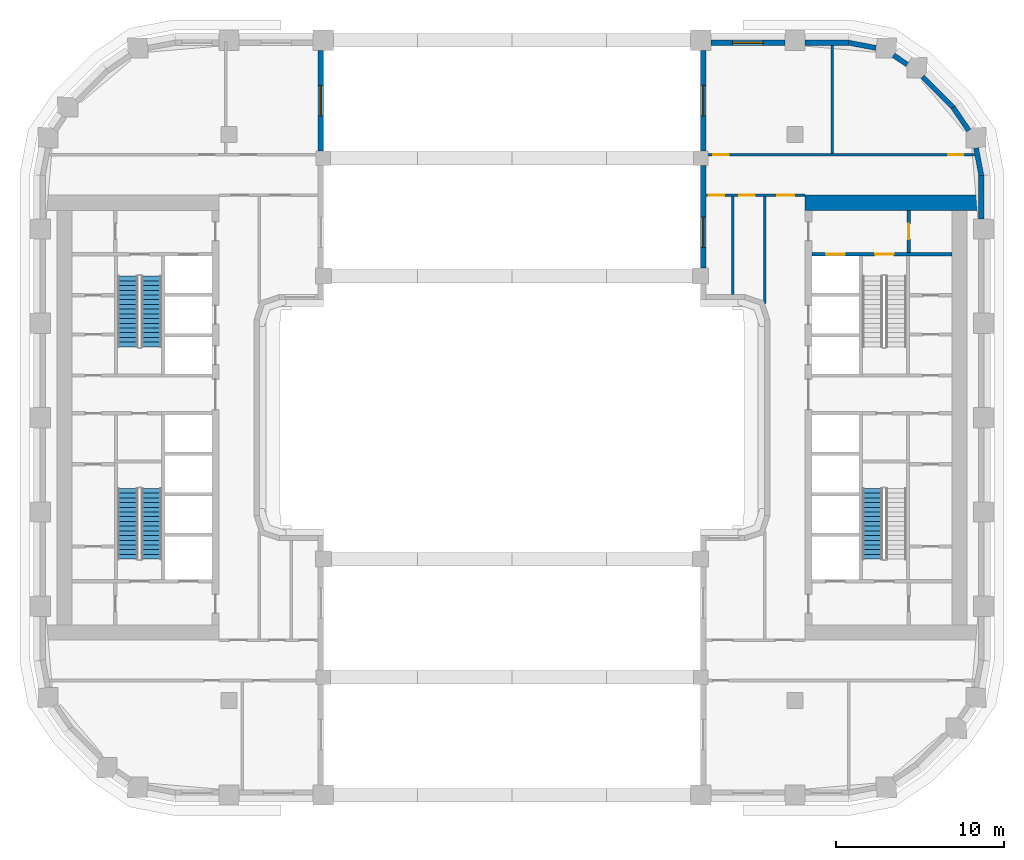
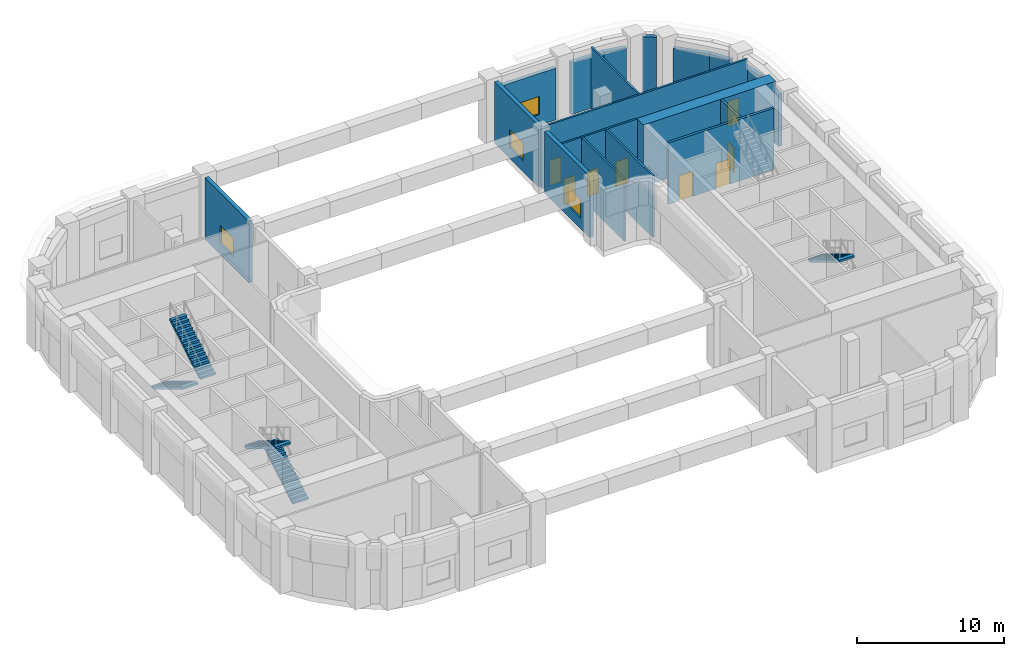
# One storey, part 6 of 14: 19 walls, 8 doors, 5 stair flights, 4 windows, 12 openings, 3 elements without a shape of their own.
"""IFC4 building model written with IfcOpenShell, lengths in metres."""

from ifc_helpers import new_model, si_unit, direction, frame, frame_2d, origin, place, context, subcontext, project, spatial, polyline, rectangle, outline, extrude, material, layer, layer_set, type_object, element, fill, aggregate, save


model = new_model("IFC4")

# Units and contexts
model_context = context("Model", 3, precision=1e-05, world=origin(), true_north=direction((0.0, 1.0)))
body_context = subcontext(model_context, "Body", "Model", "MODEL_VIEW")
ifc_project = project(units=[si_unit("LENGTHUNIT", "METRE"), si_unit("AREAUNIT", "SQUARE_METRE"), si_unit("VOLUMEUNIT", "CUBIC_METRE"), si_unit("PLANEANGLEUNIT", "RADIAN"), si_unit("MASSUNIT", "GRAM", prefix="KILO")], contexts=[model_context])

# Site, building, storey
site_placement = place(None, origin())
site = spatial("IfcSite", under=ifc_project, at=site_placement, CompositionType="ELEMENT")
building_placement = place(site_placement, origin())
building = spatial("IfcBuilding", under=site, at=building_placement, Name="Kiln Ring Residences", CompositionType="ELEMENT")
storey_placement = place(building_placement, frame((0.0, 0.0, 130.699951171875)))
storey = spatial("IfcBuildingStorey", under=building, at=storey_placement, Name="L33", CompositionType="ELEMENT", Elevation=130.699951171875)

# Wall, opening, door
ifc_material_1 = material(Name="Gypsum board on steel studs", Category="steel")
ifc_layer_1 = layer(ifc_material_1, 0.199951171875)
ifc_layer_set_1 = layer_set([ifc_layer_1], Name="CORE-PARTITION-200")
wall_type_1 = type_object("IfcWallType", Name="CORE-PARTITION-200", PredefinedType="PARTITIONING", material=ifc_layer_set_1)
wall_1_placement = place(storey_placement, frame((23.550048828125, 9.800048828125, 0.0), z_axis=(0.0, 0.0, 1.0), x_axis=(0.0, 1.0, 0.0)))
wall_1 = element("IfcWall", 1, at=wall_1_placement, inside=storey, type_object=wall_type_1, Name="Core partition east L33 3", PredefinedType="PARTITIONING", context=body_context, shape_type="SweptSolid", body=[
    extrude(rectangle(XDim=2.5, YDim=0.199951171875, at=frame_2d((1.25, 0.0))), origin(), (0.0, 0.0, 1.0), 5.10009765625),
])
opening_1_placement = place(wall_1_placement, frame((0.800048828125, 0.0, 0.0)))
opening_1 = element("IfcOpeningElement", 2, at=opening_1_placement, cuts=wall_1, Name="Opening L33-CE07", PredefinedType="OPENING", context=body_context, shape_type="SweptSolid", body=[
    extrude(rectangle(XDim=0.89990234375, YDim=2.10009765625, at=frame_2d((0.449951171875, 1.050048828125))), frame((0.0, 0.10986328125, 0.0), z_axis=(0.0, -1.0, 0.0), x_axis=(1.0, 0.0, 0.0)), (0.0, 0.0, 1.0), 0.219970703125),
])
ifc_material_2 = material(Name="Steel door leaf", Category="steel")
door_type_1 = type_object("IfcDoorType", Name="CORE-DOOR-ROOM", OperationType="SINGLE_SWING_LEFT", PredefinedType="DOOR", material=ifc_material_2)
door_1_placement = place(opening_1_placement, origin())
door_1 = element("IfcDoor", 3, at=door_1_placement, inside=storey, type_object=door_type_1, Name="Fire riser room L33-CE07", OperationType="SINGLE_SWING_RIGHT", OverallHeight=2.10009765625, OverallWidth=0.89990234375, PredefinedType="DOOR", context=body_context, shape_type="SweptSolid", body=[
    extrude(rectangle(XDim=0.89990234375, YDim=2.10009765625, at=frame_2d((0.449951171875, 1.050048828125))), frame((0.0, 0.02490234375, 0.0), z_axis=(0.0, -1.0, 0.0), x_axis=(1.0, 0.0, 0.0)), (0.0, 0.0, 1.0), 0.050048828125),
])
fill(opening_1, door_1)

# Wall, openings, doors
ifc_material_3 = material(Name="Concrete C40/50", Category="concrete")
ifc_layer_2 = layer(ifc_material_3, 0.199951171875)
ifc_layer_set_2 = layer_set([ifc_layer_2], Name="CORE-WALL-RC200")
wall_type_2 = type_object("IfcWallType", Name="CORE-WALL-RC200", PredefinedType="SHEAR", material=ifc_layer_set_2)
wall_2_placement = place(storey_placement, frame((17.800048828125, 9.699951171875, 0.0), z_axis=(0.0, 0.0, 1.0), x_axis=(1.0, 0.0, 0.0)))
wall_2 = element("IfcWall", 4, at=wall_2_placement, inside=storey, type_object=wall_type_2, Name="Core wall east L33 9", PredefinedType="SHEAR", context=body_context, shape_type="SweptSolid", body=[
    extrude(rectangle(XDim=8.300048828125, YDim=0.199951171875, at=frame_2d((4.14990234375, 0.0))), origin(), (0.0, 0.0, 1.0), 5.10009765625),
])
opening_2_placement = place(wall_2_placement, frame((0.85009765625, 0.0, 0.0)))
opening_2 = element("IfcOpeningElement", 5, at=opening_2_placement, cuts=wall_2, Name="Opening L33-CE04", PredefinedType="OPENING", context=body_context, shape_type="SweptSolid", body=[
    extrude(rectangle(XDim=1.10009765625, YDim=2.10009765625, at=frame_2d((0.550048828125, 1.050048828125))), frame((0.0, 0.10986328125, 0.0), z_axis=(0.0, -1.0, 0.0), x_axis=(1.0, 0.0, 0.0)), (0.0, 0.0, 1.0), 0.219970703125),
])
opening_3_placement = place(wall_2_placement, frame((3.75, 0.0, 0.0)))
opening_3 = element("IfcOpeningElement", 6, at=opening_3_placement, cuts=wall_2, Name="Opening L33-CE09", PredefinedType="OPENING", context=body_context, shape_type="SweptSolid", body=[
    extrude(rectangle(XDim=1.10009765625, YDim=2.10009765625, at=frame_2d((0.550048828125, 1.050048828125))), frame((0.0, 0.10986328125, 0.0), z_axis=(0.0, -1.0, 0.0), x_axis=(1.0, 0.0, 0.0)), (0.0, 0.0, 1.0), 0.219970703125),
])
ifc_material_4 = material(Name="Steel door leaf", Category="steel")
door_type_2 = type_object("IfcDoorType", Name="CORE-DOOR-LD", OperationType="DOUBLE_DOOR_SLIDING", PredefinedType="DOOR", material=ifc_material_4)
door_2_placement = place(opening_2_placement, origin())
door_2 = element("IfcDoor", 7, at=door_2_placement, inside=storey, type_object=door_type_2, Name="LD E-FF L33-CE04", OperationType="DOUBLE_DOOR_SLIDING", OverallHeight=2.10009765625, OverallWidth=1.10009765625, PredefinedType="DOOR", context=body_context, shape_type="SweptSolid", body=[
    extrude(rectangle(XDim=1.10009765625, YDim=2.10009765625, at=frame_2d((0.550048828125, 1.050048828125))), frame((0.0, 0.02490234375, 0.0), z_axis=(0.0, -1.0, 0.0), x_axis=(1.0, 0.0, 0.0)), (0.0, 0.0, 1.0), 0.050048828125),
])
fill(opening_2, door_2)
ifc_material_5 = material(Name="Steel door leaf", Category="steel")
door_type_3 = type_object("IfcDoorType", Name="CORE-DOOR-STAIR", OperationType="SINGLE_SWING_LEFT", PredefinedType="DOOR", material=ifc_material_5)
door_3_placement = place(opening_3_placement, origin())
door_3 = element("IfcDoor", 8, at=door_3_placement, inside=storey, type_object=door_type_3, Name="Stair E-STN L33-CE09", OperationType="SINGLE_SWING_RIGHT", OverallHeight=2.10009765625, OverallWidth=1.10009765625, PredefinedType="DOOR", context=body_context, shape_type="SweptSolid", body=[
    extrude(rectangle(XDim=1.10009765625, YDim=2.10009765625, at=frame_2d((0.550048828125, 1.050048828125))), frame((0.0, 0.02490234375, 0.0), z_axis=(0.0, -1.0, 0.0), x_axis=(1.0, 0.0, 0.0)), (0.0, 0.0, 1.0), 0.050048828125),
])
fill(opening_3, door_3)

# Wall
ifc_material_6 = material(Name="Concrete C60/75", Category="concrete")
ifc_layer_3 = layer(ifc_material_6, 0.89990234375)
ifc_layer_set_3 = layer_set([ifc_layer_3], Name="CORE-WALL-RC900")
wall_type_3 = type_object("IfcWallType", Name="CORE-WALL-RC900", PredefinedType="SHEAR", material=ifc_layer_set_3)
wall_3_placement = place(storey_placement, frame((17.39990234375, 12.75, 0.0), z_axis=(0.0, 0.0, 1.0), x_axis=(1.0, 0.0, 0.0)))
element("IfcWall", 9, at=wall_3_placement, inside=storey, type_object=wall_type_3, Name="Core wall east L33 4", PredefinedType="SHEAR", context=body_context, shape_type="SweptSolid", body=[
    extrude(rectangle(XDim=10.400146484375, YDim=0.89990234375, at=frame_2d((5.2001953125, 0.0))), origin(), (0.0, 0.0, 1.0), 5.10009765625),
])

# Wall, opening, window
ifc_material_7 = material(Name="Brick masonry, dark clay brick", Category="masonry")
ifc_layer_4 = layer(ifc_material_7, 0.300048828125)
ifc_layer_set_4 = layer_set([ifc_layer_4], Name="EW-300 BRICK WALL")
wall_type_4 = type_object("IfcWallType", Name="EW-300 BRICK WALL", PredefinedType="SOLIDWALL", material=ifc_layer_set_4)
wall_4_placement = place(storey_placement, frame((-11.35009765625, 15.824951171875, 0.0), z_axis=(0.0, 0.0, 1.0), x_axis=(0.0, 1.0, 0.0)))
wall_4 = element("IfcWall", 10, at=wall_4_placement, inside=storey, type_object=wall_type_4, Name="Facade wall L33 16", PredefinedType="SOLIDWALL", context=body_context, shape_type="SweptSolid", body=[
    extrude(rectangle(XDim=5.97509765625, YDim=0.300048828125, at=frame_2d((2.987548828125, 0.0))), origin(), (0.0, 0.0, 1.0), 5.10009765625),
])
opening_4_placement = place(wall_4_placement, frame((2.08740234375, 0.0, 0.89990234375)))
opening_4 = element("IfcOpeningElement", 11, at=opening_4_placement, cuts=wall_4, Name="Opening LV1", PredefinedType="OPENING", context=body_context, shape_type="SweptSolid", body=[
    extrude(rectangle(XDim=1.800048828125, YDim=1.5, at=frame_2d((0.89990234375, 0.75))), frame((0.0, 0.159912109375, 0.0), z_axis=(0.0, -1.0, 0.0), x_axis=(1.0, 0.0, 0.0)), (0.0, 0.0, 1.0), 0.320068359375),
])
ifc_material_8 = material(Name="Aluminium louvre", Category="aluminium")
window_type = type_object("IfcWindowType", Name="LOUVRED VENT 1800 x 1500", PartitioningType="SINGLE_PANEL", PredefinedType="WINDOW", material=ifc_material_8)
window_1_placement = place(opening_4_placement, origin())
window_1 = element("IfcWindow", 12, at=window_1_placement, inside=storey, type_object=window_type, Name="Louvred vent L33 7", OverallHeight=1.5, OverallWidth=1.800048828125, PartitioningType="SINGLE_PANEL", PredefinedType="WINDOW", context=body_context, shape_type="SweptSolid", body=[
    extrude(rectangle(XDim=1.800048828125, YDim=1.5, at=frame_2d((0.89990234375, 0.75))), frame((0.0, 0.030029296875, 0.0), z_axis=(0.0, -1.0, 0.0), x_axis=(1.0, 0.0, 0.0)), (0.0, 0.0, 1.0), 0.06005859375),
])
fill(opening_4, window_1)

# Walls
wall_5_placement = place(storey_placement, frame((27.85009765625, 11.800048828125, 0.0), z_axis=(0.0, 0.0, 1.0), x_axis=(0.0, 1.0, 0.0)))
element("IfcWall", 13, at=wall_5_placement, inside=storey, type_object=wall_type_4, Name="Facade wall L33 46", PredefinedType="SOLIDWALL", context=body_context, shape_type="SweptSolid", body=[
    extrude(rectangle(XDim=2.599853515625, YDim=0.300048828125, at=frame_2d((1.2998046875, 0.0))), origin(), (0.0, 0.0, 1.0), 4.300048828125),
])
for number, where, z_axis, x_axis, name in (
    (14, (27.8525390625, 14.371826171875, 0.0), (0.0, 0.0, 1.0), (-0.187349172861, 0.982293381546, 0.0), "Facade wall L33 47"),
    (15, (27.10986328125, 17.04296875, 0.0), (0.0, 0.0, 1.0), (-0.562060017944, 0.82709644917, 0.0), "Facade wall L33 48"),
):
    element("IfcWall", number, at=place(storey_placement, frame(where, z_axis=z_axis, x_axis=x_axis)), inside=storey, type_object=wall_type_4, Name=name, PredefinedType="SOLIDWALL", context=body_context, shape_type="SweptSolid", body=[
        extrude(rectangle(XDim=1.65625, YDim=0.300048828125, at=frame_2d((0.828125, 0.0))), origin(), (0.0, 0.0, 1.0), 4.300048828125),
    ])
wall_6_placement = place(storey_placement, frame((26.19677734375, 18.390869140625, 0.0), z_axis=(0.0, 0.0, 1.0), x_axis=(-0.707059830104, 0.707153729152, 0.0)))
element("IfcWall", 16, at=wall_6_placement, inside=storey, type_object=wall_type_4, Name="Facade wall L33 49", PredefinedType="SOLIDWALL", context=body_context, shape_type="SweptSolid", body=[
    extrude(rectangle(XDim=2.60009765625, YDim=0.300048828125, at=frame_2d((1.300048828125, 0.0))), origin(), (0.0, 0.0, 1.0), 4.300048828125),
])
wall_7_placement = place(storey_placement, frame((23.451171875, 20.96044921875, 0.0), z_axis=(0.0, 0.0, 1.0), x_axis=(-0.827019434577, 0.562173331661, 0.0)))
element("IfcWall", 17, at=wall_7_placement, inside=storey, type_object=wall_type_4, Name="Facade wall L33 50", PredefinedType="SOLIDWALL", context=body_context, shape_type="SweptSolid", body=[
    extrude(rectangle(XDim=0.97705078125, YDim=0.300048828125, at=frame_2d((0.488525390625, 0.0))), origin(), (0.0, 0.0, 1.0), 5.10009765625),
])
wall_8_placement = place(storey_placement, frame((21.5986328125, 21.9423828125, 0.0), z_axis=(0.0, 0.0, 1.0), x_axis=(-0.98228820662, 0.187376303559, 0.0)))
element("IfcWall", 18, at=wall_8_placement, inside=storey, type_object=wall_type_4, Name="Facade wall L33 51", PredefinedType="SOLIDWALL", context=body_context, shape_type="SweptSolid", body=[
    extrude(rectangle(XDim=1.656005859375, YDim=0.300048828125, at=frame_2d((0.828125, 0.0))), origin(), (0.0, 0.0, 1.0), 4.300048828125),
])
wall_9_placement = place(storey_placement, frame((20.0, 22.25, 0.0), z_axis=(0.0, 0.0, 1.0), x_axis=(-1.0, 0.0, 0.0)))
element("IfcWall", 19, at=wall_9_placement, inside=storey, type_object=wall_type_4, Name="Facade wall L33 52", PredefinedType="SOLIDWALL", context=body_context, shape_type="SweptSolid", body=[
    extrude(rectangle(XDim=2.60009765625, YDim=0.300048828125, at=frame_2d((1.300048828125, 0.0))), origin(), (0.0, 0.0, 1.0), 4.300048828125),
])

# Wall, opening, window
wall_10_placement = place(storey_placement, frame((16.199951171875, 22.25, 0.0), z_axis=(0.0, 0.0, 1.0), x_axis=(-1.0, 0.0, 0.0)))
wall_10 = element("IfcWall", 20, at=wall_10_placement, inside=storey, type_object=wall_type_4, Name="Facade wall L33 53", PredefinedType="SOLIDWALL", context=body_context, shape_type="SweptSolid", body=[
    extrude(rectangle(XDim=4.39990234375, YDim=0.300048828125, at=frame_2d((2.199951171875, 0.0))), origin(), (0.0, 0.0, 1.0), 4.300048828125),
])
opening_5_placement = place(wall_10_placement, frame((1.300048828125, 0.0, 0.89990234375)))
opening_5 = element("IfcOpeningElement", 21, at=opening_5_placement, cuts=wall_10, Name="Opening LV1", PredefinedType="OPENING", context=body_context, shape_type="SweptSolid", body=[
    extrude(rectangle(XDim=1.800048828125, YDim=1.5, at=frame_2d((0.89990234375, 0.75))), frame((0.0, 0.159912109375, 0.0), z_axis=(0.0, -1.0, 0.0), x_axis=(1.0, 0.0, 0.0)), (0.0, 0.0, 1.0), 0.320068359375),
])
window_2_placement = place(opening_5_placement, origin())
window_2 = element("IfcWindow", 22, at=window_2_placement, inside=storey, type_object=window_type, Name="Louvred vent L33 15", OverallHeight=1.5, OverallWidth=1.800048828125, PartitioningType="SINGLE_PANEL", PredefinedType="WINDOW", context=body_context, shape_type="SweptSolid", body=[
    extrude(rectangle(XDim=1.800048828125, YDim=1.5, at=frame_2d((0.89990234375, 0.75))), frame((0.0, 0.030029296875, 0.0), z_axis=(0.0, -1.0, 0.0), x_axis=(1.0, 0.0, 0.0)), (0.0, 0.0, 1.0), 0.06005859375),
])
fill(opening_5, window_2)

wall_11_placement = place(storey_placement, frame((11.35009765625, 21.800048828125, 0.0), z_axis=(0.0, 0.0, 1.0), x_axis=(0.0, -1.0, 0.0)))
wall_11 = element("IfcWall", 23, at=wall_11_placement, inside=storey, type_object=wall_type_4, Name="Facade wall L33 54", PredefinedType="SOLIDWALL", context=body_context, shape_type="SweptSolid", body=[
    extrude(rectangle(XDim=5.97509765625, YDim=0.300048828125, at=frame_2d((2.987548828125, 0.0))), origin(), (0.0, 0.0, 1.0), 5.10009765625),
])
opening_6_placement = place(wall_11_placement, frame((2.08740234375, 0.0, 0.89990234375)))
opening_6 = element("IfcOpeningElement", 24, at=opening_6_placement, cuts=wall_11, Name="Opening LV1", PredefinedType="OPENING", context=body_context, shape_type="SweptSolid", body=[
    extrude(rectangle(XDim=1.800048828125, YDim=1.5, at=frame_2d((0.89990234375, 0.75))), frame((0.0, 0.159912109375, 0.0), z_axis=(0.0, -1.0, 0.0), x_axis=(1.0, 0.0, 0.0)), (0.0, 0.0, 1.0), 0.320068359375),
])
window_3_placement = place(opening_6_placement, origin())
window_3 = element("IfcWindow", 25, at=window_3_placement, inside=storey, type_object=window_type, Name="Louvred vent L33 16", OverallHeight=1.5, OverallWidth=1.800048828125, PartitioningType="SINGLE_PANEL", PredefinedType="WINDOW", context=body_context, shape_type="SweptSolid", body=[
    extrude(rectangle(XDim=1.800048828125, YDim=1.5, at=frame_2d((0.89990234375, 0.75))), frame((0.0, 0.030029296875, 0.0), z_axis=(0.0, -1.0, 0.0), x_axis=(1.0, 0.0, 0.0)), (0.0, 0.0, 1.0), 0.06005859375),
])
fill(opening_6, window_3)

wall_12_placement = place(storey_placement, frame((11.35009765625, 14.97509765625, 0.0), z_axis=(0.0, 0.0, 1.0), x_axis=(0.0, -1.0, 0.0)))
wall_12 = element("IfcWall", 26, at=wall_12_placement, inside=storey, type_object=wall_type_4, Name="Facade wall L33 55", PredefinedType="SOLIDWALL", context=body_context, shape_type="SweptSolid", body=[
    extrude(rectangle(XDim=6.10009765625, YDim=0.300048828125, at=frame_2d((3.050048828125, 0.0))), origin(), (0.0, 0.0, 1.0), 5.10009765625),
])
opening_7_placement = place(wall_12_placement, frame((3.074951171875, 0.0, 0.89990234375)))
opening_7 = element("IfcOpeningElement", 27, at=opening_7_placement, cuts=wall_12, Name="Opening LV1", PredefinedType="OPENING", context=body_context, shape_type="SweptSolid", body=[
    extrude(rectangle(XDim=1.800048828125, YDim=1.5, at=frame_2d((0.89990234375, 0.75))), frame((0.0, 0.159912109375, 0.0), z_axis=(0.0, -1.0, 0.0), x_axis=(1.0, 0.0, 0.0)), (0.0, 0.0, 1.0), 0.320068359375),
])
window_4_placement = place(opening_7_placement, origin())
window_4 = element("IfcWindow", 28, at=window_4_placement, inside=storey, type_object=window_type, Name="Louvred vent L33 17", OverallHeight=1.5, OverallWidth=1.800048828125, PartitioningType="SINGLE_PANEL", PredefinedType="WINDOW", context=body_context, shape_type="SweptSolid", body=[
    extrude(rectangle(XDim=1.800048828125, YDim=1.5, at=frame_2d((0.89990234375, 0.75))), frame((0.0, 0.030029296875, 0.0), z_axis=(0.0, -1.0, 0.0), x_axis=(1.0, 0.0, 0.0)), (0.0, 0.0, 1.0), 0.06005859375),
])
fill(opening_7, window_4)

# Wall, openings, doors
ifc_material_9 = material(Name="Brick masonry partition", Category="masonry")
ifc_layer_5 = layer(ifc_material_9, 0.14990234375)
ifc_layer_set_5 = layer_set([ifc_layer_5], Name="PARTITION-150-ei60")
wall_type_5 = type_object("IfcWallType", Name="PARTITION-150-ei60", PredefinedType="PARTITIONING", material=ifc_layer_set_5)
wall_13_placement = place(storey_placement, frame((11.52001953125, 13.199951171875, 0.0), z_axis=(0.0, 0.0, 1.0), x_axis=(1.0, 0.0, 0.0)))
wall_13 = element("IfcWall", 29, at=wall_13_placement, inside=storey, type_object=wall_type_5, Name="Partition 005", PredefinedType="PARTITIONING", context=body_context, shape_type="SweptSolid", body=[
    extrude(rectangle(XDim=5.8798828125, YDim=0.14990234375, at=frame_2d((2.93994140625, 0.0))), origin(), (0.0, 0.0, 1.0), 5.10009765625),
])
opening_8_placement = place(wall_13_placement, frame((4.22998046875, 0.0, 0.0)))
opening_8 = element("IfcOpeningElement", 30, at=opening_8_placement, cuts=wall_13, Name="Opening L33-D001", PredefinedType="OPENING", context=body_context, shape_type="SweptSolid", body=[
    extrude(rectangle(XDim=1.0, YDim=2.10009765625, at=frame_2d((0.5, 1.050048828125))), frame((0.0, 0.0849609375, 0.0), z_axis=(0.0, -1.0, 0.0), x_axis=(1.0, 0.0, 0.0)), (0.0, 0.0, 1.0), 0.169921875),
])
opening_9_placement = place(wall_13_placement, frame((0.169921875, 0.0, 0.0)))
opening_9 = element("IfcOpeningElement", 31, at=opening_9_placement, cuts=wall_13, Name="Opening L33-D002", PredefinedType="OPENING", context=body_context, shape_type="SweptSolid", body=[
    extrude(rectangle(XDim=0.89990234375, YDim=2.10009765625, at=frame_2d((0.449951171875, 1.050048828125))), frame((0.0, 0.0849609375, 0.0), z_axis=(0.0, -1.0, 0.0), x_axis=(1.0, 0.0, 0.0)), (0.0, 0.0, 1.0), 0.169921875),
])
opening_10_placement = place(wall_13_placement, frame((1.97998046875, 0.0, 0.0)))
opening_10 = element("IfcOpeningElement", 32, at=opening_10_placement, cuts=wall_13, Name="Opening L33-D003", PredefinedType="OPENING", context=body_context, shape_type="SweptSolid", body=[
    extrude(rectangle(XDim=0.89990234375, YDim=2.10009765625, at=frame_2d((0.449951171875, 1.050048828125))), frame((0.0, 0.0849609375, 0.0), z_axis=(0.0, -1.0, 0.0), x_axis=(1.0, 0.0, 0.0)), (0.0, 0.0, 1.0), 0.169921875),
])
ifc_material_10 = material(Name="Steel faced fire door leaf", Category="steel")
door_type_4 = type_object("IfcDoorType", Name="FLAT-DOOR-1000-FR", OperationType="SINGLE_SWING_LEFT", PredefinedType="DOOR", material=ifc_material_10)
door_4_placement = place(opening_8_placement, origin())
door_4 = element("IfcDoor", 33, at=door_4_placement, inside=storey, type_object=door_type_4, Name="Door L33-D001", OperationType="SINGLE_SWING_RIGHT", OverallHeight=2.10009765625, OverallWidth=1.0, PredefinedType="DOOR", context=body_context, shape_type="SweptSolid", body=[
    extrude(rectangle(XDim=1.0, YDim=2.10009765625, at=frame_2d((0.5, 1.050048828125))), frame((0.0, 0.02490234375, 0.0), z_axis=(0.0, -1.0, 0.0), x_axis=(1.0, 0.0, 0.0)), (0.0, 0.0, 1.0), 0.050048828125),
])
fill(opening_8, door_4)
ifc_material_11 = material(Name="Steel faced fire door leaf", Category="steel")
door_type_5 = type_object("IfcDoorType", Name="FLAT-DOOR-900-FR", OperationType="SINGLE_SWING_LEFT", PredefinedType="DOOR", material=ifc_material_11)
door_5_placement = place(opening_9_placement, origin())
door_5 = element("IfcDoor", 34, at=door_5_placement, inside=storey, type_object=door_type_5, Name="Door L33-D002", OperationType="SINGLE_SWING_RIGHT", OverallHeight=2.10009765625, OverallWidth=0.89990234375, PredefinedType="DOOR", context=body_context, shape_type="SweptSolid", body=[
    extrude(rectangle(XDim=0.89990234375, YDim=2.10009765625, at=frame_2d((0.449951171875, 1.050048828125))), frame((0.0, 0.02490234375, 0.0), z_axis=(0.0, -1.0, 0.0), x_axis=(1.0, 0.0, 0.0)), (0.0, 0.0, 1.0), 0.050048828125),
])
fill(opening_9, door_5)
door_6_placement = place(opening_10_placement, origin())
door_6 = element("IfcDoor", 35, at=door_6_placement, inside=storey, type_object=door_type_5, Name="Door L33-D003", OperationType="SINGLE_SWING_LEFT", OverallHeight=2.10009765625, OverallWidth=0.89990234375, PredefinedType="DOOR", context=body_context, shape_type="SweptSolid", body=[
    extrude(rectangle(XDim=0.89990234375, YDim=2.10009765625, at=frame_2d((0.449951171875, 1.050048828125))), frame((0.0, 0.02490234375, 0.0), z_axis=(0.0, -1.0, 0.0), x_axis=(1.0, 0.0, 0.0)), (0.0, 0.0, 1.0), 0.050048828125),
])
fill(opening_10, door_6)

wall_14_placement = place(storey_placement, frame((11.2900390625, 15.60009765625, 0.0), z_axis=(0.0, 0.0, 1.0), x_axis=(1.0, 0.0, 0.0)))
wall_14 = element("IfcWall", 36, at=wall_14_placement, inside=storey, type_object=wall_type_5, Name="Partition 007", PredefinedType="PARTITIONING", context=body_context, shape_type="SweptSolid", body=[
    extrude(rectangle(XDim=16.15576171875, YDim=0.14990234375, at=frame_2d((8.077880859375, 0.0))), origin(), (0.0, 0.0, 1.0), 5.10009765625),
])
opening_11_placement = place(wall_14_placement, frame((0.659912109375, 0.0, 0.0)))
opening_11 = element("IfcOpeningElement", 37, at=opening_11_placement, cuts=wall_14, Name="Opening L33-D004", PredefinedType="OPENING", context=body_context, shape_type="SweptSolid", body=[
    extrude(rectangle(XDim=0.89990234375, YDim=2.10009765625, at=frame_2d((0.449951171875, 1.050048828125))), frame((0.0, 0.0849609375, 0.0), z_axis=(0.0, -1.0, 0.0), x_axis=(1.0, 0.0, 0.0)), (0.0, 0.0, 1.0), 0.169921875),
])
opening_12_placement = place(wall_14_placement, frame((14.589111328125, 0.0, 0.0)))
opening_12 = element("IfcOpeningElement", 38, at=opening_12_placement, cuts=wall_14, Name="Opening L33-D005", PredefinedType="OPENING", context=body_context, shape_type="SweptSolid", body=[
    extrude(rectangle(XDim=0.89990234375, YDim=2.10009765625, at=frame_2d((0.449951171875, 1.050048828125))), frame((0.0, 0.0849609375, 0.0), z_axis=(0.0, -1.0, 0.0), x_axis=(1.0, 0.0, 0.0)), (0.0, 0.0, 1.0), 0.169921875),
])
door_7_placement = place(opening_11_placement, origin())
door_7 = element("IfcDoor", 39, at=door_7_placement, inside=storey, type_object=door_type_5, Name="Door L33-D004", OperationType="SINGLE_SWING_RIGHT", OverallHeight=2.10009765625, OverallWidth=0.89990234375, PredefinedType="DOOR", context=body_context, shape_type="SweptSolid", body=[
    extrude(rectangle(XDim=0.89990234375, YDim=2.10009765625, at=frame_2d((0.449951171875, 1.050048828125))), frame((0.0, 0.02490234375, 0.0), z_axis=(0.0, -1.0, 0.0), x_axis=(1.0, 0.0, 0.0)), (0.0, 0.0, 1.0), 0.050048828125),
])
fill(opening_11, door_7)
door_8_placement = place(opening_12_placement, origin())
door_8 = element("IfcDoor", 40, at=door_8_placement, inside=storey, type_object=door_type_5, Name="Door L33-D005", OperationType="SINGLE_SWING_LEFT", OverallHeight=2.10009765625, OverallWidth=0.89990234375, PredefinedType="DOOR", context=body_context, shape_type="SweptSolid", body=[
    extrude(rectangle(XDim=0.89990234375, YDim=2.10009765625, at=frame_2d((0.449951171875, 1.050048828125))), frame((0.0, 0.02490234375, 0.0), z_axis=(0.0, -1.0, 0.0), x_axis=(1.0, 0.0, 0.0)), (0.0, 0.0, 1.0), 0.050048828125),
])
fill(opening_12, door_8)

# Walls
wall_15_placement = place(storey_placement, frame((13.10009765625, 7.320068359375, 0.0), z_axis=(0.0, 0.0, 1.0), x_axis=(0.0, 1.0, 0.0)))
element("IfcWall", 41, at=wall_15_placement, inside=storey, type_object=wall_type_5, Name="Partition 013", PredefinedType="PARTITIONING", context=body_context, shape_type="SweptSolid", body=[
    extrude(rectangle(XDim=5.804931640625, YDim=0.14990234375, at=frame_2d((2.90234375, 0.0))), origin(), (0.0, 0.0, 1.0), 5.10009765625),
])
wall_16_placement = place(storey_placement, frame((15.0, 6.768798828125, 0.0), z_axis=(0.0, 0.0, 1.0), x_axis=(0.0, 1.0, 0.0)))
element("IfcWall", 42, at=wall_16_placement, inside=storey, type_object=wall_type_5, Name="Partition 015", PredefinedType="PARTITIONING", context=body_context, shape_type="SweptSolid", body=[
    extrude(rectangle(XDim=6.356201171875, YDim=0.14990234375, at=frame_2d((3.17822265625, 0.0))), origin(), (0.0, 0.0, 1.0), 5.10009765625),
])
wall_17_placement = place(storey_placement, frame((19.0, 15.675048828125, 0.0), z_axis=(0.0, 0.0, 1.0), x_axis=(0.0, 1.0, 0.0)))
element("IfcWall", 43, at=wall_17_placement, inside=storey, type_object=wall_type_5, Name="Partition 016", PredefinedType="PARTITIONING", context=body_context, shape_type="SweptSolid", body=[
    extrude(rectangle(XDim=6.405029296875, YDim=0.14990234375, at=frame_2d((3.20263671875, 0.0))), origin(), (0.0, 0.0, 1.0), 5.10009765625),
])

# Stair, stair flights
ifc_material_12 = material(Name="Concrete C40/50", Category="concrete")
stair_type = type_object("IfcStairType", Name="CORE-STAIR", PredefinedType="HALF_TURN_STAIR", material=ifc_material_12)
placement = place(storey_placement, origin())
stair_1 = element("IfcStair", 44, at=placement, inside=storey, type_object=stair_type, Name="L33 stair W-STN", PredefinedType="HALF_TURN_STAIR")
ifc_material_13 = material(Name="Concrete C40/50", Category="concrete")
stair_flight_type = type_object("IfcStairFlightType", Name="CORE-STAIR-FLIGHT", PredefinedType="STRAIGHT", material=ifc_material_13)
stair_flight_1_placement = place(storey_placement, frame((-22.800048828125, 8.39990234375, 0.0), z_axis=(0.0, 0.0, 1.0), x_axis=(0.0, -1.0, 0.0)))
stair_flight_1 = element("IfcStairFlight", 45, at=stair_flight_1_placement, type_object=stair_flight_type, Name="W-STN flight 1", NumberOfRisers=16, NumberOfTreads=15, PredefinedType="STRAIGHT", RiserHeight=0.16875, TreadLength=0.28, context=body_context, shape_type="SweptSolid", body=[
    extrude(outline(polyline([(0.0, 0.0), (0.0, 0.168701171875), (0.280029296875, 0.168701171875), (0.280029296875, 0.33740234375), (0.56005859375, 0.33740234375), (0.56005859375, 0.50634765625), (0.840087890625, 0.50634765625), (0.840087890625, 0.675048828125), (1.1201171875, 0.675048828125), (1.1201171875, 0.84375), (1.39990234375, 0.84375), (1.39990234375, 1.012451171875), (1.679931640625, 1.012451171875), (1.679931640625, 1.18115234375), (1.9599609375, 1.18115234375), (1.9599609375, 1.35009765625), (2.239990234375, 1.35009765625), (2.239990234375, 1.518798828125), (2.52001953125, 1.518798828125), (2.52001953125, 1.6875), (2.800048828125, 1.6875), (2.800048828125, 1.856201171875), (3.080078125, 1.856201171875), (3.080078125, 2.02490234375), (3.360107421875, 2.02490234375), (3.360107421875, 2.19384765625), (3.639892578125, 2.19384765625), (3.639892578125, 2.362548828125), (3.919921875, 2.362548828125), (3.919921875, 2.53125), (4.199951171875, 2.53125), (4.199951171875, 2.699951171875), (4.199951171875, 2.356201171875), (0.29052734375, 0.0), (0.0, 0.0)])), frame((0.0, 0.60009765625, 0.0), z_axis=(0.0, -1.0, 0.0), x_axis=(1.0, 0.0, 0.0)), (0.0, 0.0, 1.0), 1.199951171875),
])
stair_flight_2_placement = place(storey_placement, frame((-21.39990234375, 4.199951171875, 2.699951171875), z_axis=(0.0, 0.0, 1.0), x_axis=(0.0, 1.0, 0.0)))
stair_flight_2 = element("IfcStairFlight", 46, at=stair_flight_2_placement, type_object=stair_flight_type, Name="W-STN flight 2", NumberOfRisers=16, NumberOfTreads=15, PredefinedType="STRAIGHT", RiserHeight=0.16875, TreadLength=0.28, context=body_context, shape_type="SweptSolid", body=[
    extrude(outline(polyline([(0.0, 0.0), (0.0, 0.168701171875), (0.280029296875, 0.168701171875), (0.280029296875, 0.33740234375), (0.56005859375, 0.33740234375), (0.56005859375, 0.50634765625), (0.840087890625, 0.50634765625), (0.840087890625, 0.675048828125), (1.1201171875, 0.675048828125), (1.1201171875, 0.84375), (1.39990234375, 0.84375), (1.39990234375, 1.012451171875), (1.679931640625, 1.012451171875), (1.679931640625, 1.18115234375), (1.9599609375, 1.18115234375), (1.9599609375, 1.35009765625), (2.239990234375, 1.35009765625), (2.239990234375, 1.518798828125), (2.52001953125, 1.518798828125), (2.52001953125, 1.6875), (2.800048828125, 1.6875), (2.800048828125, 1.856201171875), (3.080078125, 1.856201171875), (3.080078125, 2.02490234375), (3.360107421875, 2.02490234375), (3.360107421875, 2.19384765625), (3.639892578125, 2.19384765625), (3.639892578125, 2.362548828125), (3.919921875, 2.362548828125), (3.919921875, 2.53125), (4.199951171875, 2.53125), (4.199951171875, 2.699951171875), (4.199951171875, 2.356201171875), (0.29052734375, 0.0), (0.0, 0.0)])), frame((0.0, 0.60009765625, 0.0), z_axis=(0.0, -1.0, 0.0), x_axis=(1.0, 0.0, 0.0)), (0.0, 0.0, 1.0), 1.199951171875),
])
aggregate(stair_1, [stair_flight_1, stair_flight_2])

stair_2 = element("IfcStair", 47, at=placement, inside=storey, type_object=stair_type, Name="L33 stair W-STS", PredefinedType="HALF_TURN_STAIR")
stair_flight_3_placement = place(storey_placement, frame((-21.39990234375, -8.39990234375, 0.0), z_axis=(0.0, 0.0, 1.0), x_axis=(0.0, 1.0, 0.0)))
stair_flight_3 = element("IfcStairFlight", 48, at=stair_flight_3_placement, type_object=stair_flight_type, Name="W-STS flight 1", NumberOfRisers=16, NumberOfTreads=15, PredefinedType="STRAIGHT", RiserHeight=0.16875, TreadLength=0.28, context=body_context, shape_type="SweptSolid", body=[
    extrude(outline(polyline([(0.0, 0.0), (0.0, 0.168701171875), (0.280029296875, 0.168701171875), (0.280029296875, 0.33740234375), (0.56005859375, 0.33740234375), (0.56005859375, 0.50634765625), (0.840087890625, 0.50634765625), (0.840087890625, 0.675048828125), (1.1201171875, 0.675048828125), (1.1201171875, 0.84375), (1.39990234375, 0.84375), (1.39990234375, 1.012451171875), (1.679931640625, 1.012451171875), (1.679931640625, 1.18115234375), (1.9599609375, 1.18115234375), (1.9599609375, 1.35009765625), (2.239990234375, 1.35009765625), (2.239990234375, 1.518798828125), (2.52001953125, 1.518798828125), (2.52001953125, 1.6875), (2.800048828125, 1.6875), (2.800048828125, 1.856201171875), (3.080078125, 1.856201171875), (3.080078125, 2.02490234375), (3.360107421875, 2.02490234375), (3.360107421875, 2.19384765625), (3.639892578125, 2.19384765625), (3.639892578125, 2.362548828125), (3.919921875, 2.362548828125), (3.919921875, 2.53125), (4.199951171875, 2.53125), (4.199951171875, 2.699951171875), (4.199951171875, 2.356201171875), (0.29052734375, 0.0), (0.0, 0.0)])), frame((0.0, 0.60009765625, 0.0), z_axis=(0.0, -1.0, 0.0), x_axis=(1.0, 0.0, 0.0)), (0.0, 0.0, 1.0), 1.199951171875),
])
stair_flight_4_placement = place(storey_placement, frame((-22.800048828125, -4.199951171875, 2.699951171875), z_axis=(0.0, 0.0, 1.0), x_axis=(0.0, -1.0, 0.0)))
stair_flight_4 = element("IfcStairFlight", 49, at=stair_flight_4_placement, type_object=stair_flight_type, Name="W-STS flight 2", NumberOfRisers=16, NumberOfTreads=15, PredefinedType="STRAIGHT", RiserHeight=0.16875, TreadLength=0.28, context=body_context, shape_type="SweptSolid", body=[
    extrude(outline(polyline([(0.0, 0.0), (0.0, 0.168701171875), (0.280029296875, 0.168701171875), (0.280029296875, 0.33740234375), (0.56005859375, 0.33740234375), (0.56005859375, 0.50634765625), (0.840087890625, 0.50634765625), (0.840087890625, 0.675048828125), (1.1201171875, 0.675048828125), (1.1201171875, 0.84375), (1.39990234375, 0.84375), (1.39990234375, 1.012451171875), (1.679931640625, 1.012451171875), (1.679931640625, 1.18115234375), (1.9599609375, 1.18115234375), (1.9599609375, 1.35009765625), (2.239990234375, 1.35009765625), (2.239990234375, 1.518798828125), (2.52001953125, 1.518798828125), (2.52001953125, 1.6875), (2.800048828125, 1.6875), (2.800048828125, 1.856201171875), (3.080078125, 1.856201171875), (3.080078125, 2.02490234375), (3.360107421875, 2.02490234375), (3.360107421875, 2.19384765625), (3.639892578125, 2.19384765625), (3.639892578125, 2.362548828125), (3.919921875, 2.362548828125), (3.919921875, 2.53125), (4.199951171875, 2.53125), (4.199951171875, 2.699951171875), (4.199951171875, 2.356201171875), (0.29052734375, 0.0), (0.0, 0.0)])), frame((0.0, 0.60009765625, 0.0), z_axis=(0.0, -1.0, 0.0), x_axis=(1.0, 0.0, 0.0)), (0.0, 0.0, 1.0), 1.199951171875),
])
aggregate(stair_2, [stair_flight_3, stair_flight_4])

# Stair, stair flight
stair_3 = element("IfcStair", 50, at=placement, inside=storey, type_object=stair_type, Name="L33 stair E-STS", PredefinedType="HALF_TURN_STAIR")
stair_flight_5_placement = place(storey_placement, frame((21.39990234375, -4.199951171875, 2.699951171875), z_axis=(0.0, 0.0, 1.0), x_axis=(0.0, -1.0, 0.0)))
stair_flight_5 = element("IfcStairFlight", 51, at=stair_flight_5_placement, type_object=stair_flight_type, Name="E-STS flight 2", NumberOfRisers=16, NumberOfTreads=15, PredefinedType="STRAIGHT", RiserHeight=0.16875, TreadLength=0.28, context=body_context, shape_type="SweptSolid", body=[
    extrude(outline(polyline([(0.0, 0.0), (0.0, 0.168701171875), (0.280029296875, 0.168701171875), (0.280029296875, 0.33740234375), (0.56005859375, 0.33740234375), (0.56005859375, 0.50634765625), (0.840087890625, 0.50634765625), (0.840087890625, 0.675048828125), (1.1201171875, 0.675048828125), (1.1201171875, 0.84375), (1.39990234375, 0.84375), (1.39990234375, 1.012451171875), (1.679931640625, 1.012451171875), (1.679931640625, 1.18115234375), (1.9599609375, 1.18115234375), (1.9599609375, 1.35009765625), (2.239990234375, 1.35009765625), (2.239990234375, 1.518798828125), (2.52001953125, 1.518798828125), (2.52001953125, 1.6875), (2.800048828125, 1.6875), (2.800048828125, 1.856201171875), (3.080078125, 1.856201171875), (3.080078125, 2.02490234375), (3.360107421875, 2.02490234375), (3.360107421875, 2.19384765625), (3.639892578125, 2.19384765625), (3.639892578125, 2.362548828125), (3.919921875, 2.362548828125), (3.919921875, 2.53125), (4.199951171875, 2.53125), (4.199951171875, 2.699951171875), (4.199951171875, 2.356201171875), (0.29052734375, 0.0), (0.0, 0.0)])), frame((0.0, 0.60009765625, 0.0), z_axis=(0.0, -1.0, 0.0), x_axis=(1.0, 0.0, 0.0)), (0.0, 0.0, 1.0), 1.199951171875),
])
aggregate(stair_3, [stair_flight_5])

save(model, "model.ifc")
